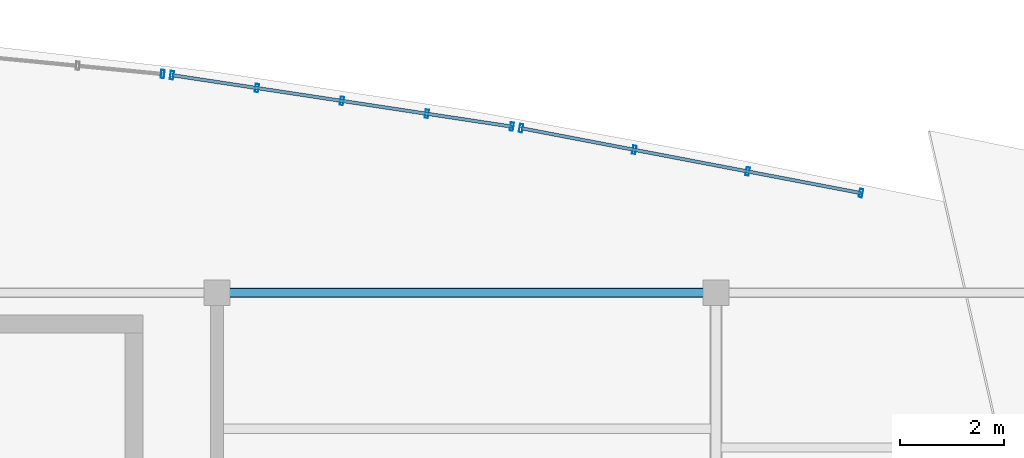
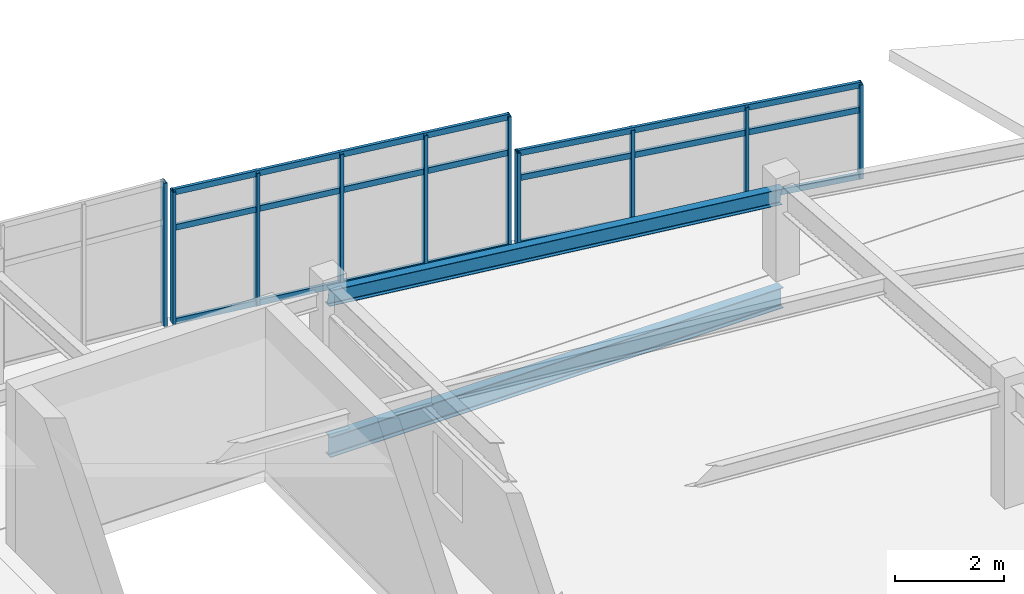
# One storey, part 49 of 65: 17 members, 1 beam, 3 elements without a shape of their own.
"""IFC4 building model written with IfcOpenShell, lengths in metres."""

from ifc_helpers import new_model, si_unit, direction, frame, origin, origin_2d, place, context, subcontext, project, spatial, hollow_rectangle, i_section, extrude, material, layer, layer_set, material_profile, profile_set, type_object, element, aggregate, save


model = new_model("IFC4")

# Units and contexts
model_context = context("Model", 3, precision=1e-05, world=origin(), true_north=direction((0.0, 1.0)))
body_context = subcontext(model_context, "Body", "Model", "MODEL_VIEW")
ifc_project = project(units=[si_unit("LENGTHUNIT", "METRE"), si_unit("AREAUNIT", "SQUARE_METRE"), si_unit("VOLUMEUNIT", "CUBIC_METRE"), si_unit("PLANEANGLEUNIT", "RADIAN"), si_unit("MASSUNIT", "GRAM", prefix="KILO")], contexts=[model_context])

# Site, building, storey
site_placement = place(None, origin())
site = spatial("IfcSite", under=ifc_project, at=site_placement, CompositionType="ELEMENT")
building_placement = place(site_placement, origin())
building = spatial("IfcBuilding", under=site, at=building_placement, Name="Chalmorin Arch Market", CompositionType="ELEMENT")
storey_placement = place(building_placement, frame((0.0, 0.0, 14.10009765625)))
storey = spatial("IfcBuildingStorey", under=building, at=storey_placement, Name="L03", CompositionType="ELEMENT", Elevation=14.10009765625)

# Curtain wall, member
ifc_material_1 = material(Name="Aluminium 6063-T6", Category="aluminium")
ifc_layer_1 = layer(ifc_material_1, 0.159912109375)
ifc_layer_set_1 = layer_set([ifc_layer_1], Name="Aluminium 6063-T6")
curtain_wall_type_1 = type_object("IfcCurtainWallType", Name="CulinaryStudioCurtainWall-CW3-6570x3220", PredefinedType="NOTDEFINED", material=ifc_layer_set_1)
curtain_wall_1_placement = place(storey_placement, origin())
curtain_wall_1 = element("IfcCurtainWall", 1, at=curtain_wall_1_placement, inside=storey, type_object=curtain_wall_type_1, Name="CW-03-141", PredefinedType="NOTDEFINED")
ifc_material_profile_1 = material_profile(ifc_material_1, hollow_rectangle(XDim=0.06494140625, YDim=0.159912109375, WallThickness=0.00390625, at=origin_2d()), Name="ALU65X160X4")
ifc_profile_set_1 = profile_set([ifc_material_profile_1], Name="Aluminium 6063-T6")
member_type_1 = type_object("IfcMemberType", Name="CurtainWallMullion-65x160", PredefinedType="MULLION", material=ifc_profile_set_1)
member_1_placement = place(storey_placement, frame((94.950439453125, 122.209716796875, -0.02001953125), z_axis=(0.0, 0.0, 1.0), x_axis=(0.994521895368, -0.104528463268, 0.0)))
member_1 = element("IfcMember", 2, at=member_1_placement, type_object=member_type_1, Name="ML-141-05", PredefinedType="MULLION", context=body_context, shape_type="SweptSolid", body=[
    extrude(hollow_rectangle(XDim=0.06494140625, YDim=0.159912109375, WallThickness=0.00390625, at=origin_2d()), origin(), (0.0, 0.0, 1.0), 3.223876953125),
])
aggregate(curtain_wall_1, [member_1])

# Curtain wall, members
ifc_layer_2 = layer(ifc_material_1, 0.159912109375)
ifc_layer_set_2 = layer_set([ifc_layer_2], Name="Aluminium 6063-T6")
curtain_wall_type_2 = type_object("IfcCurtainWallType", Name="CulinaryStudioCurtainWall-CW3-6620x2970", PredefinedType="NOTDEFINED", material=ifc_layer_set_2)
curtain_wall_2_placement = place(storey_placement, origin())
curtain_wall_2 = element("IfcCurtainWall", 3, at=curtain_wall_2_placement, inside=storey, type_object=curtain_wall_type_2, Name="CW-03-144", PredefinedType="NOTDEFINED")
member_2_placement = place(storey_placement, frame((95.12890625, 122.1875, -0.02001953125), z_axis=(0.0, 0.0, 1.0), x_axis=(0.987688340595, -0.15643446504, 0.0)))
member_2 = element("IfcMember", 4, at=member_2_placement, type_object=member_type_1, Name="ML-144-01", PredefinedType="MULLION", context=body_context, shape_type="SweptSolid", body=[
    extrude(hollow_rectangle(XDim=0.06494140625, YDim=0.159912109375, WallThickness=0.00390625, at=origin_2d()), origin(), (0.0, 0.0, 1.0), 2.972900390625),
])
member_3_placement = place(storey_placement, frame((96.764404296875, 121.93994140625, -0.02001953125), z_axis=(0.0, 0.0, 1.0), x_axis=(0.987688340595, -0.15643446504, 0.0)))
member_3 = element("IfcMember", 5, at=member_3_placement, type_object=member_type_1, Name="ML-144-02", PredefinedType="MULLION", context=body_context, shape_type="SweptSolid", body=[
    extrude(hollow_rectangle(XDim=0.06494140625, YDim=0.159912109375, WallThickness=0.00390625, at=origin_2d()), origin(), (0.0, 0.0, 1.0), 2.972900390625),
])
member_4_placement = place(storey_placement, frame((98.39990234375, 121.6923828125, -0.02001953125), z_axis=(0.0, 0.0, 1.0), x_axis=(0.987688340595, -0.15643446504, 0.0)))
member_4 = element("IfcMember", 6, at=member_4_placement, type_object=member_type_1, Name="ML-144-03", PredefinedType="MULLION", context=body_context, shape_type="SweptSolid", body=[
    extrude(hollow_rectangle(XDim=0.06494140625, YDim=0.159912109375, WallThickness=0.00390625, at=origin_2d()), origin(), (0.0, 0.0, 1.0), 2.972900390625),
])
member_5_placement = place(storey_placement, frame((100.035400390625, 121.445068359375, -0.02001953125), z_axis=(0.0, 0.0, 1.0), x_axis=(0.987688340595, -0.15643446504, 0.0)))
member_5 = element("IfcMember", 7, at=member_5_placement, type_object=member_type_1, Name="ML-144-04", PredefinedType="MULLION", context=body_context, shape_type="SweptSolid", body=[
    extrude(hollow_rectangle(XDim=0.06494140625, YDim=0.159912109375, WallThickness=0.00390625, at=origin_2d()), origin(), (0.0, 0.0, 1.0), 2.972900390625),
])
member_6_placement = place(storey_placement, frame((101.6708984375, 121.197509765625, -0.02001953125), z_axis=(0.0, 0.0, 1.0), x_axis=(0.987688340595, -0.15643446504, 0.0)))
member_6 = element("IfcMember", 8, at=member_6_placement, type_object=member_type_1, Name="ML-144-05", PredefinedType="MULLION", context=body_context, shape_type="SweptSolid", body=[
    extrude(hollow_rectangle(XDim=0.06494140625, YDim=0.159912109375, WallThickness=0.00390625, at=origin_2d()), origin(), (0.0, 0.0, 1.0), 2.972900390625),
])

ifc_layer_3 = layer(ifc_material_1, 0.159912109375)
ifc_layer_set_3 = layer_set([ifc_layer_3], Name="Aluminium 6063-T6")
curtain_wall_type_3 = type_object("IfcCurtainWallType", Name="CulinaryStudioCurtainWall-CW3-6660x2110", PredefinedType="NOTDEFINED", material=ifc_layer_set_3)
curtain_wall_3_placement = place(storey_placement, origin())
curtain_wall_3 = element("IfcCurtainWall", 9, at=curtain_wall_3_placement, inside=storey, type_object=curtain_wall_type_3, Name="CW-03-147", PredefinedType="NOTDEFINED")
member_7_placement = place(storey_placement, frame((101.848388671875, 121.1669921875, -0.02001953125), z_axis=(0.0, 0.0, 1.0), x_axis=(0.981627183448, -0.190808995377, 0.0)))
member_7 = element("IfcMember", 10, at=member_7_placement, type_object=member_type_1, Name="ML-147-01", PredefinedType="MULLION", context=body_context, shape_type="SweptSolid", body=[
    extrude(hollow_rectangle(XDim=0.06494140625, YDim=0.159912109375, WallThickness=0.00390625, at=origin_2d()), origin(), (0.0, 0.0, 1.0), 2.114013671875),
])
member_8_placement = place(storey_placement, frame((104.029541015625, 120.750732421875, -0.02001953125), z_axis=(0.0, 0.0, 1.0), x_axis=(0.981627183448, -0.190808995377, 0.0)))
member_8 = element("IfcMember", 11, at=member_8_placement, type_object=member_type_1, Name="ML-147-02", PredefinedType="MULLION", context=body_context, shape_type="SweptSolid", body=[
    extrude(hollow_rectangle(XDim=0.06494140625, YDim=0.159912109375, WallThickness=0.00390625, at=origin_2d()), origin(), (0.0, 0.0, 1.0), 2.114013671875),
])
member_9_placement = place(storey_placement, frame((106.21044921875, 120.334228515625, -0.02001953125), z_axis=(0.0, 0.0, 1.0), x_axis=(0.981627183448, -0.190808995377, 0.0)))
member_9 = element("IfcMember", 12, at=member_9_placement, type_object=member_type_1, Name="ML-147-03", PredefinedType="MULLION", context=body_context, shape_type="SweptSolid", body=[
    extrude(hollow_rectangle(XDim=0.06494140625, YDim=0.159912109375, WallThickness=0.00390625, at=origin_2d()), origin(), (0.0, 0.0, 1.0), 2.114013671875),
])
member_10_placement = place(storey_placement, frame((108.3916015625, 119.91796875, -0.02001953125), z_axis=(0.0, 0.0, 1.0), x_axis=(0.981627183448, -0.190808995377, 0.0)))
member_10 = element("IfcMember", 13, at=member_10_placement, type_object=member_type_1, Name="ML-147-04", PredefinedType="MULLION", context=body_context, shape_type="SweptSolid", body=[
    extrude(hollow_rectangle(XDim=0.06494140625, YDim=0.159912109375, WallThickness=0.00390625, at=origin_2d()), origin(), (0.0, 0.0, 1.0), 2.114013671875),
])

# Member
ifc_material_profile_2 = material_profile(ifc_material_1, hollow_rectangle(XDim=0.06494140625, YDim=0.1298828125, WallThickness=0.00390625, at=origin_2d()), Name="ALU65X130X4")
ifc_profile_set_2 = profile_set([ifc_material_profile_2], Name="Aluminium 6063-T6")
member_type_2 = type_object("IfcMemberType", Name="CurtainWallTransom-65x130", PredefinedType="USERDEFINED", material=ifc_profile_set_2)
member_11_placement = place(storey_placement, frame((95.12890625, 122.1875, 0.014892578125), z_axis=(0.988742814157, -0.149625022817, 0.0), x_axis=(0.149625022817, 0.988742814157, 0.0)))
member_11 = element("IfcMember", 14, at=member_11_placement, type_object=member_type_2, Name="TR-144-01", ObjectType="TRANSOM", PredefinedType="USERDEFINED", context=body_context, shape_type="SweptSolid", body=[
    extrude(hollow_rectangle(XDim=0.06494140625, YDim=0.1298828125, WallThickness=0.00390625, at=origin_2d()), origin(), (0.0, 0.0, 1.0), 6.616455078125),
])

member_12_placement = place(storey_placement, frame((95.12890625, 122.1875, 2.12060546875), z_axis=(0.988742814157, -0.149625022817, 0.0), x_axis=(0.149625022817, 0.988742814157, 0.0)))
member_12 = element("IfcMember", 15, at=member_12_placement, type_object=member_type_2, Name="TR-144-02", ObjectType="TRANSOM", PredefinedType="USERDEFINED", context=body_context, shape_type="SweptSolid", body=[
    extrude(hollow_rectangle(XDim=0.06494140625, YDim=0.1298828125, WallThickness=0.00390625, at=origin_2d()), origin(), (0.0, 0.0, 1.0), 6.616455078125),
])

member_13_placement = place(storey_placement, frame((95.12890625, 122.1875, 2.91796875), z_axis=(0.988742814157, -0.149625022817, 0.0), x_axis=(0.149625022817, 0.988742814157, 0.0)))
member_13 = element("IfcMember", 16, at=member_13_placement, type_object=member_type_2, Name="TR-144-03", ObjectType="TRANSOM", PredefinedType="USERDEFINED", context=body_context, shape_type="SweptSolid", body=[
    extrude(hollow_rectangle(XDim=0.06494140625, YDim=0.1298828125, WallThickness=0.00390625, at=origin_2d()), origin(), (0.0, 0.0, 1.0), 6.616455078125),
])

aggregate(curtain_wall_2, [member_2, member_3, member_4, member_5, member_6, member_11, member_12, member_13])

member_14_placement = place(storey_placement, frame((101.848388671875, 121.1669921875, 0.014892578125), z_axis=(0.982264065399, -0.187502815514, 0.0), x_axis=(0.187502815514, 0.982264065399, 0.0)))
member_14 = element("IfcMember", 17, at=member_14_placement, type_object=member_type_2, Name="TR-147-01", ObjectType="TRANSOM", PredefinedType="USERDEFINED", context=body_context, shape_type="SweptSolid", body=[
    extrude(hollow_rectangle(XDim=0.06494140625, YDim=0.1298828125, WallThickness=0.00390625, at=origin_2d()), origin(), (0.0, 0.0, 1.0), 6.661376953125),
])

member_15_placement = place(storey_placement, frame((101.848388671875, 121.1669921875, 1.501953125), z_axis=(0.982264065399, -0.187502815514, 0.0), x_axis=(0.187502815514, 0.982264065399, 0.0)))
member_15 = element("IfcMember", 18, at=member_15_placement, type_object=member_type_2, Name="TR-147-02", ObjectType="TRANSOM", PredefinedType="USERDEFINED", context=body_context, shape_type="SweptSolid", body=[
    extrude(hollow_rectangle(XDim=0.06494140625, YDim=0.1298828125, WallThickness=0.00390625, at=origin_2d()), origin(), (0.0, 0.0, 1.0), 6.661376953125),
])

member_16_placement = place(storey_placement, frame((101.848388671875, 121.1669921875, 2.058837890625), z_axis=(0.982264065399, -0.187502815514, 0.0), x_axis=(0.187502815514, 0.982264065399, 0.0)))
member_16 = element("IfcMember", 19, at=member_16_placement, type_object=member_type_2, Name="TR-147-03", ObjectType="TRANSOM", PredefinedType="USERDEFINED", context=body_context, shape_type="SweptSolid", body=[
    extrude(hollow_rectangle(XDim=0.06494140625, YDim=0.1298828125, WallThickness=0.00390625, at=origin_2d()), origin(), (0.0, 0.0, 1.0), 6.661376953125),
])

aggregate(curtain_wall_3, [member_7, member_8, member_9, member_10, member_14, member_15, member_16])

# Beam
ifc_material_2 = material(Name="Steel A992 Grade 50", Category="steel")
ifc_material_profile_3 = material_profile(ifc_material_2, i_section(OverallWidth=0.19091796875, OverallDepth=0.45703125, WebThickness=0.009033203125, FlangeThickness=0.014404296875, FilletRadius=0.02001953125, at=origin_2d()), Name="W18X50")
ifc_profile_set_3 = profile_set([ifc_material_profile_3], Name="Steel A992 Grade 50")
beam_type = type_object("IfcBeamType", Name="PerimeterSpandrelBeam-W18X50", PredefinedType="SPANDREL", material=ifc_profile_set_3)
beam_placement = place(storey_placement, frame((96.0, 118.0, -0.530517578125), z_axis=(1.0, 0.0, 0.0), x_axis=(0.0, 1.0, 0.0)))
element("IfcBeam", 20, at=beam_placement, inside=storey, type_object=beam_type, Name="SP-W18-1490", PredefinedType="SPANDREL", context=body_context, shape_type="SweptSolid", body=[
    extrude(i_section(OverallWidth=0.19091796875, OverallDepth=0.45703125, WebThickness=0.009033203125, FlangeThickness=0.014404296875, FilletRadius=0.02001953125, at=origin_2d()), origin(), (0.0, 0.0, 1.0), 9.60009765625),
])

# Member
ifc_material_profile_4 = material_profile(ifc_material_2, i_section(OverallWidth=0.1708984375, OverallDepth=0.35107421875, WebThickness=0.0068359375, FlangeThickness=0.009765625, FilletRadius=0.014892578125, at=origin_2d()), Name="W14X30")
ifc_profile_set_4 = profile_set([ifc_material_profile_4], Name="Steel A992 Grade 50")
member_type_3 = type_object("IfcMemberType", Name="RoofSteelPurlin-W14X30", PredefinedType="PURLIN", material=ifc_profile_set_4)
member_17_placement = place(storey_placement, frame((96.0, 118.0, 2.804931640625), z_axis=(0.99377818659, 0.0, -0.111377357924), x_axis=(0.0, 1.0, 0.0)))
element("IfcMember", 21, at=member_17_placement, inside=storey, type_object=member_type_3, Name="PR-W14-0124", PredefinedType="PURLIN", context=body_context, shape_type="SweptSolid", body=[
    extrude(i_section(OverallWidth=0.1708984375, OverallDepth=0.35107421875, WebThickness=0.0068359375, FlangeThickness=0.009765625, FilletRadius=0.014892578125, at=origin_2d()), origin(), (0.0, 0.0, 1.0), 9.66015625),
])

save(model, "model.ifc")
